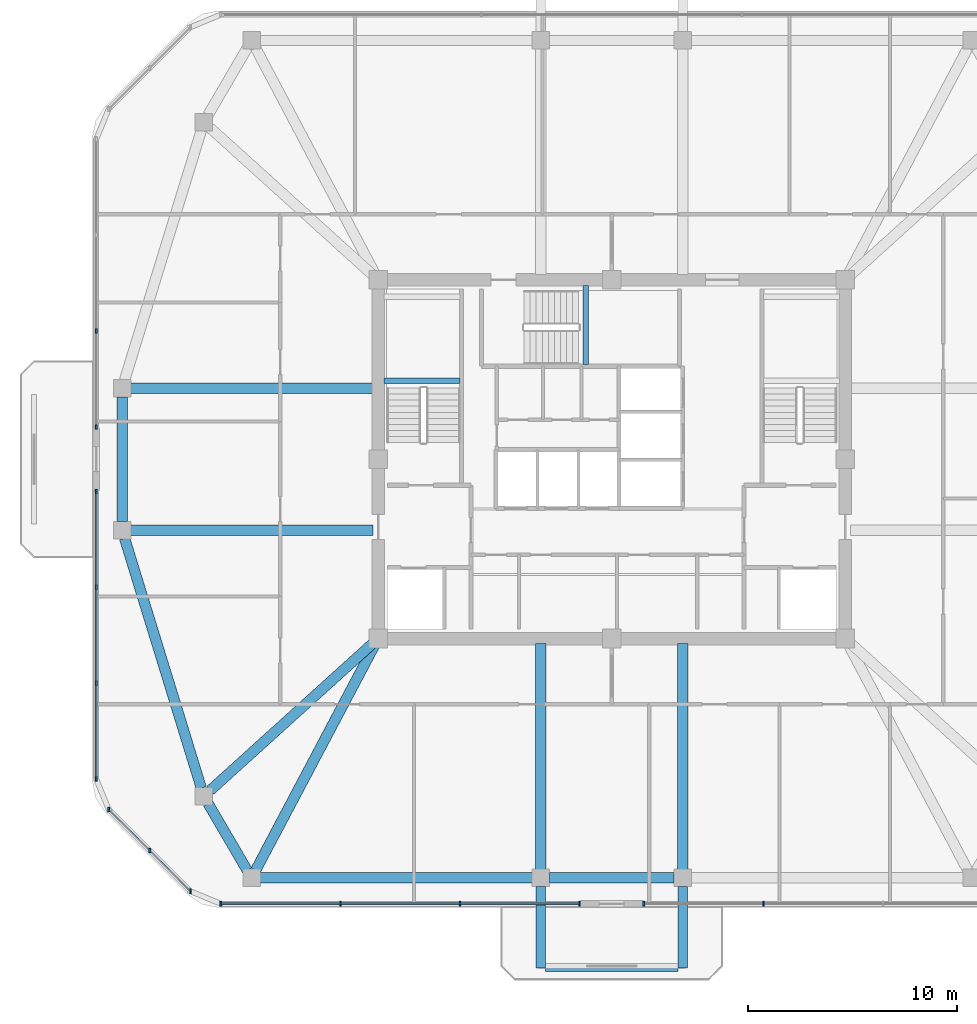
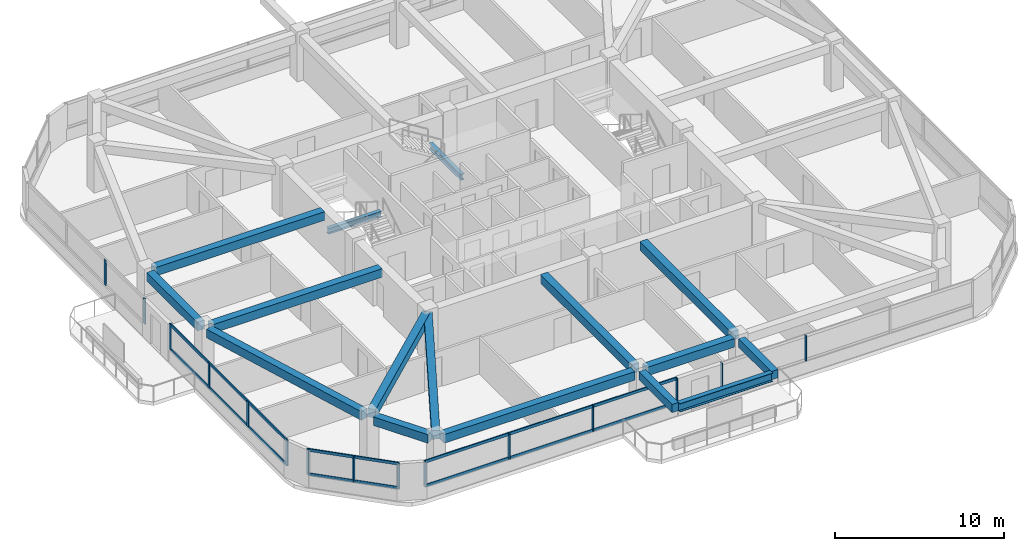
# One storey, part 2 of 13: 21 members, 16 beams, 5 elements without a shape of their own.
"""IFC4 building model written with IfcOpenShell, lengths in metres."""

from ifc_helpers import new_model, si_unit, derived_unit, direction, frame, origin, origin_2d, place, context, subcontext, project, spatial, rectangle, i_section, extrude, material, material_profile, profile_set, type_object, element, aggregate, save


model = new_model("IFC4")

# Units and contexts
model_context = context("Model", 3, precision=1e-05, world=origin(), true_north=direction((0.0, 1.0)))
body_context = subcontext(model_context, "Body", "Model", "MODEL_VIEW")
ifc_project = project(units=[si_unit("LENGTHUNIT", "METRE"), si_unit("AREAUNIT", "SQUARE_METRE"), si_unit("VOLUMEUNIT", "CUBIC_METRE"), si_unit("PLANEANGLEUNIT", "RADIAN"), si_unit("MASSUNIT", "GRAM", prefix="KILO"), derived_unit("THERMALTRANSMITTANCEUNIT", [(si_unit("POWERUNIT", "WATT"), 1), (si_unit("LENGTHUNIT", "METRE"), -2), (si_unit("THERMODYNAMICTEMPERATUREUNIT", "KELVIN"), -1)])], contexts=[model_context])

# Site, building, storey
site_placement = place(None, origin())
site = spatial("IfcSite", under=ifc_project, at=site_placement, CompositionType="ELEMENT")
building_placement = place(site_placement, origin())
building = spatial("IfcBuilding", under=site, at=building_placement, Name="Koralith Skygarden Medical Center", CompositionType="ELEMENT")
storey_placement = place(building_placement, frame((0.0, 0.0, 250.02001953125)))
storey = spatial("IfcBuildingStorey", under=building, at=storey_placement, Name="L64", CompositionType="ELEMENT", Elevation=250.02001953125)

# Curtain wall, members
ifc_material_1 = material(Name="Clear Laminated Glass", Category="glass")
curtain_wall_type = type_object("IfcCurtainWallType", Name="CW-6 Zone 5 Upper Clinical Curtain Wall", PredefinedType="NOTDEFINED", material=ifc_material_1)
curtain_wall_1_placement = place(storey_placement, origin())
curtain_wall_1 = element("IfcCurtainWall", 1, at=curtain_wall_1_placement, inside=storey, type_object=curtain_wall_type, Name="Curtain Wall CW-L64-S-L", PredefinedType="NOTDEFINED")
ifc_material_2 = material(Name="Aluminium 6063-T6", Category="aluminium")
ifc_material_profile_1 = material_profile(ifc_material_2, rectangle(XDim=0.0830078125, YDim=0.219970703125, at=origin_2d()), Name="MUL83X220")
ifc_profile_set_1 = profile_set([ifc_material_profile_1], Name="Aluminium 6063-T6")
member_type_1 = type_object("IfcMemberType", Name="CW-6 Extruded Mullion 83x220", PredefinedType="MULLION", material=ifc_profile_set_1)
member_1_placement = place(storey_placement, frame((18.2548828125, 4.580078125, 0.85009765625), z_axis=(0.0, 0.0, 1.0), x_axis=(1.0, 0.0, 0.0)))
member_1 = element("IfcMember", 2, at=member_1_placement, type_object=member_type_1, Name="CW-L64-S-L Mullion 1", PredefinedType="MULLION", context=body_context, shape_type="SweptSolid", body=[
    extrude(rectangle(XDim=0.0830078125, YDim=0.219970703125, at=origin_2d()), origin(), (0.0, 0.0, 1.0), 1.83984375),
])
member_2_placement = place(storey_placement, frame((23.989990234375, 4.580078125, 0.85009765625), z_axis=(0.0, 0.0, 1.0), x_axis=(1.0, 0.0, 0.0)))
member_2 = element("IfcMember", 3, at=member_2_placement, type_object=member_type_1, Name="CW-L64-S-L Mullion 2", PredefinedType="MULLION", context=body_context, shape_type="SweptSolid", body=[
    extrude(rectangle(XDim=0.0830078125, YDim=0.219970703125, at=origin_2d()), origin(), (0.0, 0.0, 1.0), 1.83984375),
])
member_3_placement = place(storey_placement, frame((29.72412109375, 4.580078125, 0.85009765625), z_axis=(0.0, 0.0, 1.0), x_axis=(1.0, 0.0, 0.0)))
member_3 = element("IfcMember", 4, at=member_3_placement, type_object=member_type_1, Name="CW-L64-S-L Mullion 3", PredefinedType="MULLION", context=body_context, shape_type="SweptSolid", body=[
    extrude(rectangle(XDim=0.0830078125, YDim=0.219970703125, at=origin_2d()), origin(), (0.0, 0.0, 1.0), 1.83984375),
])
member_4_placement = place(storey_placement, frame((35.458984375, 4.580078125, 0.85009765625), z_axis=(0.0, 0.0, 1.0), x_axis=(1.0, 0.0, 0.0)))
member_4 = element("IfcMember", 5, at=member_4_placement, type_object=member_type_1, Name="CW-L64-S-L Mullion 4", PredefinedType="MULLION", context=body_context, shape_type="SweptSolid", body=[
    extrude(rectangle(XDim=0.0830078125, YDim=0.219970703125, at=origin_2d()), origin(), (0.0, 0.0, 1.0), 1.83984375),
])

curtain_wall_2_placement = place(storey_placement, origin())
curtain_wall_2 = element("IfcCurtainWall", 6, at=curtain_wall_2_placement, inside=storey, type_object=curtain_wall_type, Name="Curtain Wall CW-L64-S-R", PredefinedType="NOTDEFINED")
member_5_placement = place(storey_placement, frame((38.5390625, 4.580078125, 0.85009765625), z_axis=(0.0, 0.0, 1.0), x_axis=(1.0, 0.0, 0.0)))
member_5 = element("IfcMember", 7, at=member_5_placement, type_object=member_type_1, Name="CW-L64-S-R Mullion 1", PredefinedType="MULLION", context=body_context, shape_type="SweptSolid", body=[
    extrude(rectangle(XDim=0.0830078125, YDim=0.219970703125, at=origin_2d()), origin(), (0.0, 0.0, 1.0), 1.83984375),
])
member_6_placement = place(storey_placement, frame((44.27392578125, 4.580078125, 0.85009765625), z_axis=(0.0, 0.0, 1.0), x_axis=(1.0, 0.0, 0.0)))
member_6 = element("IfcMember", 8, at=member_6_placement, type_object=member_type_1, Name="CW-L64-S-R Mullion 2", PredefinedType="MULLION", context=body_context, shape_type="SweptSolid", body=[
    extrude(rectangle(XDim=0.0830078125, YDim=0.219970703125, at=origin_2d()), origin(), (0.0, 0.0, 1.0), 1.83984375),
])
aggregate(curtain_wall_2, [member_5, member_6])

curtain_wall_3_placement = place(storey_placement, origin())
curtain_wall_3 = element("IfcCurtainWall", 9, at=curtain_wall_3_placement, inside=storey, type_object=curtain_wall_type, Name="Curtain Wall CW-L64-W-L", PredefinedType="NOTDEFINED")
member_7_placement = place(storey_placement, frame((12.280029296875, 32.0419921875, 0.85009765625), z_axis=(0.0, 0.0, 1.0), x_axis=(1.0, 0.0, 0.0)))
member_7 = element("IfcMember", 10, at=member_7_placement, type_object=member_type_1, Name="CW-L64-W-L Mullion 3", PredefinedType="MULLION", context=body_context, shape_type="SweptSolid", body=[
    extrude(rectangle(XDim=0.0830078125, YDim=0.219970703125, at=origin_2d()), origin(), (0.0, 0.0, 1.0), 1.83984375),
])
member_8_placement = place(storey_placement, frame((12.280029296875, 27.43994140625, 0.85009765625), z_axis=(0.0, 0.0, 1.0), x_axis=(1.0, 0.0, 0.0)))
member_8 = element("IfcMember", 11, at=member_8_placement, type_object=member_type_1, Name="CW-L64-W-L Mullion 4", PredefinedType="MULLION", context=body_context, shape_type="SweptSolid", body=[
    extrude(rectangle(XDim=0.0830078125, YDim=0.219970703125, at=origin_2d()), origin(), (0.0, 0.0, 1.0), 1.83984375),
])
aggregate(curtain_wall_3, [member_7, member_8])

curtain_wall_4_placement = place(storey_placement, origin())
curtain_wall_4 = element("IfcCurtainWall", 12, at=curtain_wall_4_placement, inside=storey, type_object=curtain_wall_type, Name="Curtain Wall CW-L64-W-R", PredefinedType="NOTDEFINED")
member_9_placement = place(storey_placement, frame((12.280029296875, 24.360107421875, 0.85009765625), z_axis=(0.0, 0.0, 1.0), x_axis=(1.0, 0.0, 0.0)))
member_9 = element("IfcMember", 13, at=member_9_placement, type_object=member_type_1, Name="CW-L64-W-R Mullion 1", PredefinedType="MULLION", context=body_context, shape_type="SweptSolid", body=[
    extrude(rectangle(XDim=0.0830078125, YDim=0.219970703125, at=origin_2d()), origin(), (0.0, 0.0, 1.0), 1.83984375),
])
member_10_placement = place(storey_placement, frame((12.280029296875, 19.758056640625, 0.85009765625), z_axis=(0.0, 0.0, 1.0), x_axis=(1.0, 0.0, 0.0)))
member_10 = element("IfcMember", 14, at=member_10_placement, type_object=member_type_1, Name="CW-L64-W-R Mullion 2", PredefinedType="MULLION", context=body_context, shape_type="SweptSolid", body=[
    extrude(rectangle(XDim=0.0830078125, YDim=0.219970703125, at=origin_2d()), origin(), (0.0, 0.0, 1.0), 1.83984375),
])
member_11_placement = place(storey_placement, frame((12.280029296875, 15.156982421875, 0.85009765625), z_axis=(0.0, 0.0, 1.0), x_axis=(1.0, 0.0, 0.0)))
member_11 = element("IfcMember", 15, at=member_11_placement, type_object=member_type_1, Name="CW-L64-W-R Mullion 3", PredefinedType="MULLION", context=body_context, shape_type="SweptSolid", body=[
    extrude(rectangle(XDim=0.0830078125, YDim=0.219970703125, at=origin_2d()), origin(), (0.0, 0.0, 1.0), 1.83984375),
])
member_12_placement = place(storey_placement, frame((12.280029296875, 10.554931640625, 0.85009765625), z_axis=(0.0, 0.0, 1.0), x_axis=(1.0, 0.0, 0.0)))
member_12 = element("IfcMember", 16, at=member_12_placement, type_object=member_type_1, Name="CW-L64-W-R Mullion 4", PredefinedType="MULLION", context=body_context, shape_type="SweptSolid", body=[
    extrude(rectangle(XDim=0.0830078125, YDim=0.219970703125, at=origin_2d()), origin(), (0.0, 0.0, 1.0), 1.83984375),
])

curtain_wall_5_placement = place(storey_placement, origin())
curtain_wall_5 = element("IfcCurtainWall", 17, at=curtain_wall_5_placement, inside=storey, type_object=curtain_wall_type, Name="Curtain Wall CW-L64-SW", PredefinedType="NOTDEFINED")
member_13_placement = place(storey_placement, frame((12.881103515625, 9.10400390625, 0.85009765625), z_axis=(0.0, 0.0, 1.0), x_axis=(1.0, 0.0, 0.0)))
member_13 = element("IfcMember", 18, at=member_13_placement, type_object=member_type_1, Name="CW-L64-SW Mullion 1", PredefinedType="MULLION", context=body_context, shape_type="SweptSolid", body=[
    extrude(rectangle(XDim=0.0830078125, YDim=0.219970703125, at=origin_2d()), origin(), (0.0, 0.0, 1.0), 1.83984375),
])
member_14_placement = place(storey_placement, frame((14.842041015625, 7.14306640625, 0.85009765625), z_axis=(0.0, 0.0, 1.0), x_axis=(1.0, 0.0, 0.0)))
member_14 = element("IfcMember", 19, at=member_14_placement, type_object=member_type_1, Name="CW-L64-SW Mullion 2", PredefinedType="MULLION", context=body_context, shape_type="SweptSolid", body=[
    extrude(rectangle(XDim=0.0830078125, YDim=0.219970703125, at=origin_2d()), origin(), (0.0, 0.0, 1.0), 1.83984375),
])
member_15_placement = place(storey_placement, frame((16.803955078125, 5.180908203125, 0.85009765625), z_axis=(0.0, 0.0, 1.0), x_axis=(1.0, 0.0, 0.0)))
member_15 = element("IfcMember", 20, at=member_15_placement, type_object=member_type_1, Name="CW-L64-SW Mullion 3", PredefinedType="MULLION", context=body_context, shape_type="SweptSolid", body=[
    extrude(rectangle(XDim=0.0830078125, YDim=0.219970703125, at=origin_2d()), origin(), (0.0, 0.0, 1.0), 1.83984375),
])

# Member
ifc_material_profile_2 = material_profile(ifc_material_2, rectangle(XDim=0.077880859375, YDim=0.197998046875, at=origin_2d()), Name="TRN78X198")
ifc_profile_set_2 = profile_set([ifc_material_profile_2], Name="Aluminium 6063-T6")
member_type_2 = type_object("IfcMemberType", Name="CW-6 Thermal Transom 78x198", PredefinedType="USERDEFINED", material=ifc_profile_set_2)
member_16_placement = place(storey_placement, frame((18.2548828125, 4.580078125, 0.89990234375), z_axis=(1.0, 0.0, 0.0), x_axis=(0.0, 1.0, 0.0)))
member_16 = element("IfcMember", 21, at=member_16_placement, type_object=member_type_2, Name="CW-L64-S-L Transom 1", ObjectType="TRANSOM", PredefinedType="USERDEFINED", context=body_context, shape_type="SweptSolid", body=[
    extrude(rectangle(XDim=0.077880859375, YDim=0.197998046875, at=origin_2d()), origin(), (0.0, 0.0, 1.0), 17.2041015625),
])

member_17_placement = place(storey_placement, frame((18.2548828125, 4.580078125, 2.639892578125), z_axis=(1.0, 0.0, 0.0), x_axis=(0.0, 1.0, 0.0)))
member_17 = element("IfcMember", 22, at=member_17_placement, type_object=member_type_2, Name="CW-L64-S-L Transom 2", ObjectType="TRANSOM", PredefinedType="USERDEFINED", context=body_context, shape_type="SweptSolid", body=[
    extrude(rectangle(XDim=0.077880859375, YDim=0.197998046875, at=origin_2d()), origin(), (0.0, 0.0, 1.0), 17.2041015625),
])

aggregate(curtain_wall_1, [member_1, member_2, member_3, member_4, member_16, member_17])

member_18_placement = place(storey_placement, frame((12.280029296875, 24.360107421875, 0.89990234375), z_axis=(0.0, -1.0, 0.0), x_axis=(1.0, 0.0, 0.0)))
member_18 = element("IfcMember", 23, at=member_18_placement, type_object=member_type_2, Name="CW-L64-W-R Transom 1", ObjectType="TRANSOM", PredefinedType="USERDEFINED", context=body_context, shape_type="SweptSolid", body=[
    extrude(rectangle(XDim=0.077880859375, YDim=0.197998046875, at=origin_2d()), origin(), (0.0, 0.0, 1.0), 13.80517578125),
])

member_19_placement = place(storey_placement, frame((12.280029296875, 24.360107421875, 2.639892578125), z_axis=(0.0, -1.0, 0.0), x_axis=(1.0, 0.0, 0.0)))
member_19 = element("IfcMember", 24, at=member_19_placement, type_object=member_type_2, Name="CW-L64-W-R Transom 2", ObjectType="TRANSOM", PredefinedType="USERDEFINED", context=body_context, shape_type="SweptSolid", body=[
    extrude(rectangle(XDim=0.077880859375, YDim=0.197998046875, at=origin_2d()), origin(), (0.0, 0.0, 1.0), 13.80517578125),
])

aggregate(curtain_wall_4, [member_9, member_10, member_11, member_12, member_18, member_19])

member_20_placement = place(storey_placement, frame((12.881103515625, 9.10400390625, 0.89990234375), z_axis=(0.707084777957, -0.707128783731, 0.0), x_axis=(0.707128783731, 0.707084777957, 0.0)))
member_20 = element("IfcMember", 25, at=member_20_placement, type_object=member_type_2, Name="CW-L64-SW Transom 1", ObjectType="TRANSOM", PredefinedType="USERDEFINED", context=body_context, shape_type="SweptSolid", body=[
    extrude(rectangle(XDim=0.077880859375, YDim=0.197998046875, at=origin_2d()), origin(), (0.0, 0.0, 1.0), 5.5478515625),
])

member_21_placement = place(storey_placement, frame((12.881103515625, 9.10400390625, 2.639892578125), z_axis=(0.707084777957, -0.707128783731, 0.0), x_axis=(0.707128783731, 0.707084777957, 0.0)))
member_21 = element("IfcMember", 26, at=member_21_placement, type_object=member_type_2, Name="CW-L64-SW Transom 2", ObjectType="TRANSOM", PredefinedType="USERDEFINED", context=body_context, shape_type="SweptSolid", body=[
    extrude(rectangle(XDim=0.077880859375, YDim=0.197998046875, at=origin_2d()), origin(), (0.0, 0.0, 1.0), 5.5478515625),
])

aggregate(curtain_wall_5, [member_13, member_14, member_15, member_20, member_21])

# Beams
ifc_material_3 = material(Name="Steel ASTM A992 Grade 50", Category="steel")
ifc_material_profile_3 = material_profile(ifc_material_3, i_section(OverallWidth=0.326904296875, OverallDepth=0.6220703125, WebThickness=0.015380859375, FlangeThickness=0.0244140625, at=origin_2d()), Name="W24X131")
ifc_profile_set_3 = profile_set([ifc_material_profile_3], Name="Steel ASTM A992 Grade 50")
beam_type_1 = type_object("IfcBeamType", Name="Cantilever Tie Beam W24X131", PredefinedType="BEAM", material=ifc_profile_set_3)
beam_1_placement = place(storey_placement, frame((33.820068359375, 1.5, 3.029052734375), z_axis=(1.0, 0.0, 0.0), x_axis=(0.0, 1.0, 0.0)))
element("IfcBeam", 27, at=beam_1_placement, inside=storey, type_object=beam_type_1, Name="L65 S Balcony Tip Tie Beam", PredefinedType="BEAM", context=body_context, shape_type="SweptSolid", body=[
    extrude(i_section(OverallWidth=0.326904296875, OverallDepth=0.6220703125, WebThickness=0.015380859375, FlangeThickness=0.0244140625, at=origin_2d()), origin(), (0.0, 0.0, 1.0), 6.35986328125),
])
ifc_material_profile_4 = material_profile(ifc_material_3, i_section(OverallWidth=0.260009765625, OverallDepth=0.4150390625, WebThickness=0.010009765625, FlangeThickness=0.016845703125, at=origin_2d()), Name="W16X67")
ifc_profile_set_4 = profile_set([ifc_material_profile_4], Name="Steel ASTM A992 Grade 50")
beam_type_2 = type_object("IfcBeamType", Name="Clinical Floor Joist W16X67", PredefinedType="JOIST", material=ifc_profile_set_4)
beam_2_placement = place(storey_placement, frame((26.080078125, 29.659912109375, 1.39208984375), z_axis=(1.0, 0.0, 0.0), x_axis=(0.0, 1.0, 0.0)))
element("IfcBeam", 28, at=beam_2_placement, inside=storey, type_object=beam_type_2, Name="L64 Stair ST1 Half-Landing Support Beam 1A", PredefinedType="JOIST", context=body_context, shape_type="SweptSolid", body=[
    extrude(i_section(OverallWidth=0.260009765625, OverallDepth=0.4150390625, WebThickness=0.010009765625, FlangeThickness=0.016845703125, at=origin_2d()), origin(), (0.0, 0.0, 1.0), 3.639892578125),
])
beam_3_placement = place(storey_placement, frame((35.760009765625, 30.43994140625, 1.39208984375), z_axis=(0.0, 1.0, 0.0), x_axis=(-1.0, 0.0, 0.0)))
element("IfcBeam", 29, at=beam_3_placement, inside=storey, type_object=beam_type_2, Name="L64 Stair ST3 Half-Landing Support Beam 1A", PredefinedType="JOIST", context=body_context, shape_type="SweptSolid", body=[
    extrude(i_section(OverallWidth=0.260009765625, OverallDepth=0.4150390625, WebThickness=0.010009765625, FlangeThickness=0.016845703125, at=origin_2d()), origin(), (0.0, 0.0, 1.0), 3.780029296875),
])
ifc_material_4 = material(Name="Concrete C45/55", Category="concrete")
ifc_material_profile_5 = material_profile(ifc_material_4, rectangle(XDim=0.449951171875, YDim=0.60009765625, at=origin_2d()), Name="RCB450X600")
ifc_profile_set_5 = profile_set([ifc_material_profile_5], Name="Concrete C45/55")
beam_type_3 = type_object("IfcBeamType", Name="Planted Balcony Cantilever Beam RCB450X600", PredefinedType="BEAM", material=ifc_profile_set_5)
for number, where, z_axis, x_axis, name in (
    (30, (33.60009765625, 5.419921875, 3.0400390625), (0.0, -1.0, 0.0), (1.0, 0.0, 0.0), "L65 S Balcony Cantilever Beam A"),
    (31, (40.39990234375, 5.419921875, 3.0400390625), (0.0, -1.0, 0.0), (1.0, 0.0, 0.0), "L65 S Balcony Cantilever Beam B"),
):
    element("IfcBeam", number, at=place(storey_placement, frame(where, z_axis=z_axis, x_axis=x_axis)), inside=storey, type_object=beam_type_3, Name=name, PredefinedType="BEAM", context=body_context, shape_type="SweptSolid", body=[
        extrude(rectangle(XDim=0.449951171875, YDim=0.60009765625, at=origin_2d()), origin(), (0.0, 0.0, 1.0), 3.919921875),
    ])
ifc_material_profile_6 = material_profile(ifc_material_4, rectangle(XDim=0.5, YDim=0.6201171875, at=origin_2d()), Name="RCB500X620")
ifc_profile_set_6 = profile_set([ifc_material_profile_6], Name="Concrete C45/55")
beam_type_4 = type_object("IfcBeamType", Name="Upper Radial Collector Beam RCB500X620", PredefinedType="BEAM", material=ifc_profile_set_6)
beam_4_placement = place(storey_placement, frame((25.550048828125, 22.5, 3.010009765625), z_axis=(-1.0, 0.0, 0.0), x_axis=(0.0, -1.0, 0.0)))
element("IfcBeam", 32, at=beam_4_placement, inside=storey, type_object=beam_type_4, Name="L64 Radial Collector Beam RB-01", PredefinedType="BEAM", context=body_context, shape_type="SweptSolid", body=[
    extrude(rectangle(XDim=0.5, YDim=0.6201171875, at=origin_2d()), origin(), (0.0, 0.0, 1.0), 11.6201171875),
])
beam_5_placement = place(storey_placement, frame((25.614990234375, 17.132080078125, 3.010009765625), z_axis=(-0.741736323186, -0.670691603397, 0.0), x_axis=(0.670691603397, -0.741736323186, 0.0)))
element("IfcBeam", 33, at=beam_5_placement, inside=storey, type_object=beam_type_4, Name="L64 Radial Collector Beam RB-02", PredefinedType="BEAM", context=body_context, shape_type="SweptSolid", body=[
    extrude(rectangle(XDim=0.5, YDim=0.6201171875, at=origin_2d()), origin(), (0.0, 0.0, 1.0), 10.61181640625),
])
beam_6_placement = place(storey_placement, frame((25.68310546875, 17.0791015625, 3.010009765625), z_axis=(-0.46724871287, -0.884125918816, 0.0), x_axis=(0.884125918816, -0.46724871287, 0.0)))
element("IfcBeam", 34, at=beam_6_placement, inside=storey, type_object=beam_type_4, Name="L64 Radial Collector Beam RB-03", PredefinedType="BEAM", context=body_context, shape_type="SweptSolid", body=[
    extrude(rectangle(XDim=0.5, YDim=0.6201171875, at=origin_2d()), origin(), (0.0, 0.0, 1.0), 12.325439453125),
])
for number, where, z_axis, x_axis, name in (
    (35, (33.60009765625, 17.050048828125, 3.010009765625), (0.0, -1.0, 0.0), (1.0, 0.0, 0.0), "L64 Radial Collector Beam RB-04"),
    (36, (40.39990234375, 17.050048828125, 3.010009765625), (0.0, -1.0, 0.0), (1.0, 0.0, 0.0), "L64 Radial Collector Beam RB-05"),
):
    element("IfcBeam", number, at=place(storey_placement, frame(where, z_axis=z_axis, x_axis=x_axis)), inside=storey, type_object=beam_type_4, Name=name, PredefinedType="BEAM", context=body_context, shape_type="SweptSolid", body=[
        extrude(rectangle(XDim=0.5, YDim=0.6201171875, at=origin_2d()), origin(), (0.0, 0.0, 1.0), 10.820068359375),
    ])
beam_7_placement = place(storey_placement, frame((25.550048828125, 29.300048828125, 3.010009765625), z_axis=(-1.0, 0.0, 0.0), x_axis=(0.0, -1.0, 0.0)))
element("IfcBeam", 37, at=beam_7_placement, inside=storey, type_object=beam_type_4, Name="L64 Radial Collector Beam RB-16", PredefinedType="BEAM", context=body_context, shape_type="SweptSolid", body=[
    extrude(rectangle(XDim=0.5, YDim=0.6201171875, at=origin_2d()), origin(), (0.0, 0.0, 1.0), 11.6201171875),
])
ifc_material_profile_7 = material_profile(ifc_material_4, rectangle(XDim=0.5, YDim=0.6201171875, at=origin_2d()), Name="RCB500X620")
ifc_profile_set_7 = profile_set([ifc_material_profile_7], Name="Concrete C45/55")
beam_type_5 = type_object("IfcBeamType", Name="Zone 4-5 Spandrel Beam RCB500X620", PredefinedType="SPANDREL", material=ifc_profile_set_7)
beam_8_placement = place(storey_placement, frame((13.639892578125, 22.10791015625, 3.010009765625), z_axis=(0.293743494914, -0.955884281279, 0.0), x_axis=(0.955884281279, 0.293743494914, 0.0)))
element("IfcBeam", 38, at=beam_8_placement, inside=storey, type_object=beam_type_5, Name="L64 Perimeter Spandrel Beam SP-01", PredefinedType="SPANDREL", context=body_context, shape_type="SweptSolid", body=[
    extrude(rectangle(XDim=0.5, YDim=0.6201171875, at=origin_2d()), origin(), (0.0, 0.0, 1.0), 12.528564453125),
])
beam_9_placement = place(storey_placement, frame((17.64697265625, 9.385986328125, 3.010009765625), z_axis=(0.50473571007, -0.863273921175, 0.0), x_axis=(0.863273921175, 0.50473571007, 0.0)))
element("IfcBeam", 39, at=beam_9_placement, inside=storey, type_object=beam_type_5, Name="L64 Perimeter Spandrel Beam SP-02", PredefinedType="SPANDREL", context=body_context, shape_type="SweptSolid", body=[
    extrude(rectangle(XDim=0.5, YDim=0.6201171875, at=origin_2d()), origin(), (0.0, 0.0, 1.0), 3.720703125),
])
beam_10_placement = place(storey_placement, frame((20.14208984375, 5.820068359375, 3.010009765625), z_axis=(1.0, 0.0, 0.0), x_axis=(0.0, 1.0, 0.0)))
element("IfcBeam", 40, at=beam_10_placement, inside=storey, type_object=beam_type_5, Name="L64 Perimeter Spandrel Beam SP-03", PredefinedType="SPANDREL", context=body_context, shape_type="SweptSolid", body=[
    extrude(rectangle(XDim=0.5, YDim=0.6201171875, at=origin_2d()), origin(), (0.0, 0.0, 1.0), 13.0478515625),
])
for number, where, z_axis, x_axis, name in (
    (41, (34.010009765625, 5.820068359375, 3.010009765625), (1.0, 0.0, 0.0), (0.0, 1.0, 0.0), "L64 Perimeter Spandrel Beam SP-04"),
    (42, (13.52001953125, 28.889892578125, 3.010009765625), (0.0, -1.0, 0.0), (1.0, 0.0, 0.0), "L64 Perimeter Spandrel Beam SP-16"),
):
    element("IfcBeam", number, at=place(storey_placement, frame(where, z_axis=z_axis, x_axis=x_axis)), inside=storey, type_object=beam_type_5, Name=name, PredefinedType="SPANDREL", context=body_context, shape_type="SweptSolid", body=[
        extrude(rectangle(XDim=0.5, YDim=0.6201171875, at=origin_2d()), origin(), (0.0, 0.0, 1.0), 5.97998046875),
    ])

save(model, "model.ifc")
